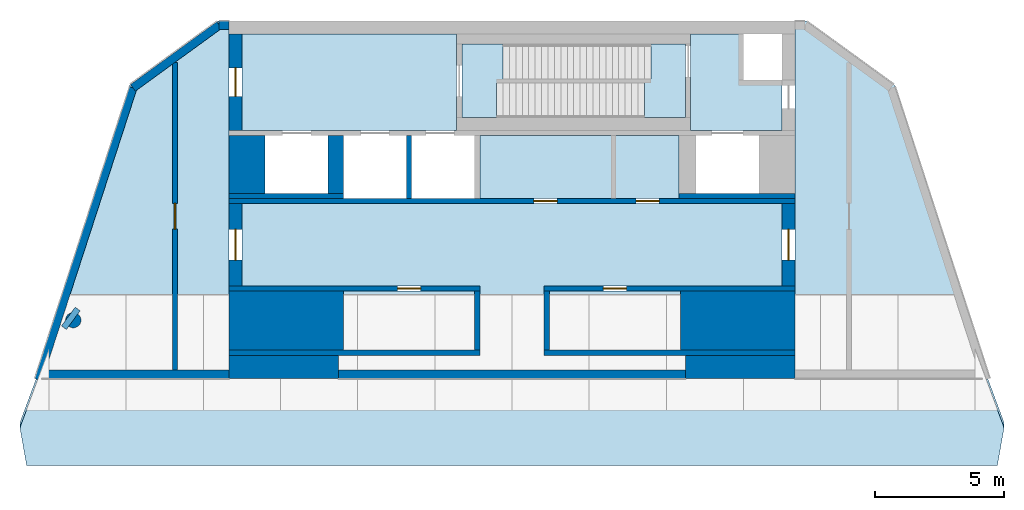
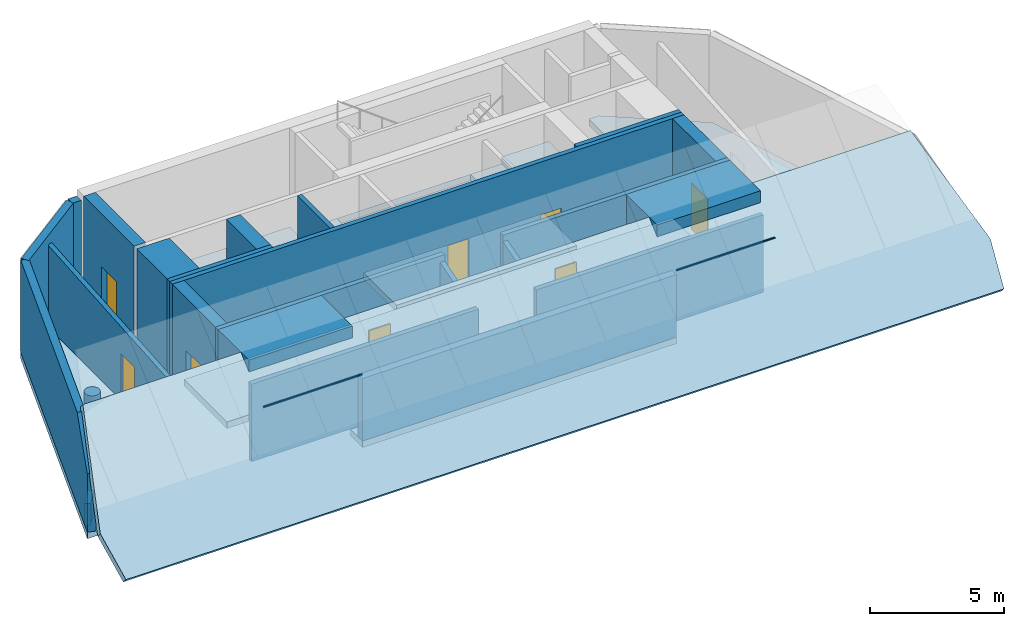
# One storey, part 1 of 3: 25 walls, 8 doors, 8 slabs, 1 beam, 1 column, 8 openings.
"""IFC4 building model written with IfcOpenShell, lengths in metres."""

from ifc_helpers import new_model, si_unit, direction, frame, frame_2d, origin, origin_2d, place, context, subcontext, project, spatial, polyline, rectangle, circle, outline, extrude, material, layer, layer_set, material_profile, profile_set, type_object, element, fill, save


model = new_model("IFC4")

# Units and contexts
model_context = context("Model", 3, precision=1e-05, world=origin(), true_north=direction((0.0, 1.0)))
body_context = subcontext(model_context, "Body", "Model", "MODEL_VIEW")
ifc_project = project(units=[si_unit("LENGTHUNIT", "METRE"), si_unit("AREAUNIT", "SQUARE_METRE"), si_unit("VOLUMEUNIT", "CUBIC_METRE"), si_unit("PLANEANGLEUNIT", "RADIAN"), si_unit("MASSUNIT", "GRAM", prefix="KILO")], contexts=[model_context])

# Site, building, storey
site_placement = place(None, origin())
site = spatial("IfcSite", under=ifc_project, at=site_placement, CompositionType="ELEMENT")
building_placement = place(site_placement, origin())
building = spatial("IfcBuilding", under=site, at=building_placement, Name="White Candle Pilgrim Tower", CompositionType="ELEMENT")
storey_placement = place(building_placement, frame((0.0, 0.0, 346.699951171875)))
storey = spatial("IfcBuildingStorey", under=building, at=storey_placement, Name="L81", CompositionType="ELEMENT", Elevation=346.699951171875)

# Column
ifc_material_1 = material(Name="Concrete C60/75", Category="concrete")
ifc_material_profile_1 = material_profile(ifc_material_1, circle(Radius=0.300048828125, at=origin_2d()), Name="RC-COL D600")
ifc_profile_set_1 = profile_set([ifc_material_profile_1], Name="Concrete C60/75")
column_type = type_object("IfcColumnType", Name="Perimeter column RC-COL D600 C60/75", PredefinedType="COLUMN", material=ifc_profile_set_1)
column_placement = place(storey_placement, frame((52.93994140625, 76.3701171875, 0.0), z_axis=(0.0, 0.0, 1.0), x_axis=(1.0, 0.0, 0.0)))
element("IfcColumn", 1, at=column_placement, inside=storey, type_object=column_type, Name="L81 crown column T07", PredefinedType="COLUMN", context=body_context, shape_type="SweptSolid", body=[
    extrude(circle(Radius=0.300048828125, at=origin_2d()), origin(), (0.0, 0.0, 1.0), 4.5),
])

# Beam
ifc_material_2 = material(Name="Concrete C50/60", Category="concrete")
ifc_material_profile_2 = material_profile(ifc_material_2, rectangle(XDim=0.89990234375, YDim=1.0, at=origin_2d()), Name="RC-BM 900x1000")
ifc_profile_set_2 = profile_set([ifc_material_profile_2], Name="Concrete C50/60")
beam_type = type_object("IfcBeamType", Name="Transfer girder RC-BM 900x1000 C50/60", PredefinedType="BEAM", material=ifc_profile_set_2)
beam_placement = place(storey_placement, frame((52.75, 76.510009765625, -0.800048828125), z_axis=(0.805185882689, -0.59302250743, 0.0), x_axis=(0.59302250743, 0.805185882689, 0.0)))
element("IfcBeam", 2, at=beam_placement, inside=storey, type_object=beam_type, Name="L81 transfer girder T01", PredefinedType="BEAM", context=body_context, shape_type="SweptSolid", body=[
    extrude(rectangle(XDim=0.89990234375, YDim=1.0, at=origin_2d()), origin(), (0.0, 0.0, 1.0), 0.23583984375),
])

# Slabs
ifc_material_3 = material(Name="Concrete C40/50", Category="concrete")
ifc_layer_1 = layer(ifc_material_3, 0.300048828125)
ifc_layer_set_1 = layer_set([ifc_layer_1], Name="Core floor slab 300 mm Concrete C40/50")
slab_type_1 = type_object("IfcSlabType", Name="Core floor slab 300 mm Concrete C40/50", PredefinedType="FLOOR", material=ifc_layer_set_1)
slab_1_placement = place(storey_placement, frame((0.0, 0.0, -0.300048828125)))
element("IfcSlab", 3, at=slab_1_placement, inside=storey, type_object=slab_type_1, Name="CF-L81-01", PredefinedType="FLOOR", context=body_context, shape_type="SweptSolid", body=[
    extrude(outline(polyline([(80.5, 85.5), (80.5, 83.75), (76.949951171875, 83.75), (76.949951171875, 84.25), (76.949951171875, 87.10009765625), (76.949951171875, 87.5), (79.0, 87.5), (79.0, 85.699951171875), (80.5, 85.699951171875), (80.5, 85.5)])), origin(), (0.0, 0.0, 1.0), 0.300048828125),
])
slab_2_placement = place(storey_placement, frame((0.0, 0.0, -0.300048828125)))
element("IfcSlab", 4, at=slab_2_placement, inside=storey, type_object=slab_type_1, Name="CF-L81-02", PredefinedType="FLOOR", context=body_context, shape_type="SweptSolid", body=[
    extrude(outline(polyline([(80.5, 77.699951171875), (71.25, 77.699951171875), (71.25, 77.5), (76.550048828125, 77.5), (76.550048828125, 75.199951171875), (71.25, 75.199951171875), (71.25, 75.0), (76.75, 75.0), (76.75, 74.108642578125), (63.25, 74.108642578125), (63.25, 75.0), (68.75, 75.0), (68.75, 75.199951171875), (63.449951171875, 75.199951171875), (63.449951171875, 77.5), (68.75, 77.5), (68.75, 77.699951171875), (59.5, 77.699951171875), (59.5, 80.89990234375), (80.5, 80.89990234375), (80.5, 77.699951171875)])), origin(), (0.0, 0.0, 1.0), 0.300048828125),
])
slab_3_placement = place(storey_placement, frame((0.0, 0.0, -0.300048828125)))
element("IfcSlab", 5, at=slab_3_placement, inside=storey, type_object=slab_type_1, Name="CF-L81-03", PredefinedType="FLOOR", context=body_context, shape_type="SweptSolid", body=[
    extrude(outline(polyline([(59.5, 87.5), (67.85009765625, 87.5), (67.85009765625, 87.10009765625), (67.85009765625, 84.25), (67.85009765625, 83.75), (59.5, 83.75), (59.5, 87.5)])), origin(), (0.0, 0.0, 1.0), 0.300048828125),
])
slab_4_placement = place(storey_placement, frame((0.0, 0.0, -0.300048828125)))
element("IfcSlab", 6, at=slab_4_placement, inside=storey, type_object=slab_type_1, Name="CF-L81-04", PredefinedType="FLOOR", context=body_context, shape_type="SweptSolid", body=[
    extrude(outline(polyline([(76.5, 83.550048828125), (76.5, 81.300048828125), (76.5, 81.10009765625), (68.75, 81.10009765625), (68.75, 83.550048828125), (76.5, 83.550048828125)])), origin(), (0.0, 0.0, 1.0), 0.300048828125),
])
slab_5_placement = place(storey_placement, frame((0.0, 0.0, -0.300048828125)))
element("IfcSlab", 7, at=slab_5_placement, inside=storey, type_object=slab_type_1, Name="CF-L81-05", PredefinedType="FLOOR", context=body_context, shape_type="SweptSolid", body=[
    extrude(outline(polyline([(68.050048828125, 87.10009765625), (76.75, 87.10009765625), (76.75, 84.25), (68.050048828125, 84.25), (68.050048828125, 87.10009765625)]), holes=[polyline([(69.402099609375, 84.251953125), (75.14794921875, 84.251953125), (75.14794921875, 85.597900390625), (69.402099609375, 85.597900390625), (69.402099609375, 84.251953125)]), polyline([(69.652099609375, 85.751953125), (75.39794921875, 85.751953125), (75.39794921875, 87.097900390625), (69.652099609375, 87.097900390625), (69.652099609375, 85.751953125)])]), origin(), (0.0, 0.0, 1.0), 0.300048828125),
])
ifc_layer_2 = layer(ifc_material_3, 0.300048828125)
ifc_layer_set_2 = layer_set([ifc_layer_2], Name="Floor slab 300 REI 120")
slab_type_2 = type_object("IfcSlabType", Name="Floor slab 300 REI 120", PredefinedType="FLOOR", material=ifc_layer_set_2)
slab_6_placement = place(storey_placement, frame((0.0, 0.0, -0.300048828125)))
element("IfcSlab", 8, at=slab_6_placement, inside=storey, type_object=slab_type_2, Name="L81 floor slab", PredefinedType="FLOOR", context=body_context, shape_type="SweptSolid", body=[
    extrude(outline(polyline([(51.42236328125, 74.108642578125), (59.0, 74.108642578125), (59.0, 88.0), (58.56298828125, 88.0), (55.1240234375, 85.50146484375), (51.42236328125, 74.108642578125)])), origin(), (0.0, 0.0, 1.0), 0.300048828125),
])
slab_7_placement = place(storey_placement, frame((0.0, 0.0, -0.300048828125)))
element("IfcSlab", 9, at=slab_7_placement, inside=storey, type_object=slab_type_2, Name="L81 floor slab 2", PredefinedType="FLOOR", context=body_context, shape_type="SweptSolid", body=[
    extrude(outline(polyline([(81.0, 74.108642578125), (88.57763671875, 74.108642578125), (84.8759765625, 85.50146484375), (81.43701171875, 88.0), (81.0, 88.0), (81.0, 74.108642578125)])), origin(), (0.0, 0.0, 1.0), 0.300048828125),
])
ifc_layer_3 = layer(ifc_material_3, 0.300048828125)
ifc_layer_set_3 = layer_set([ifc_layer_3], Name="Roof slab 300 REI 120")
slab_type_3 = type_object("IfcSlabType", Name="Roof slab 300 REI 120", PredefinedType="ROOF", material=ifc_layer_set_3)
slab_8_placement = place(storey_placement, frame((51.118408203125, 70.7626953125, 0.03759765625), z_axis=(0.0, -0.662933689174, 0.74867811759), x_axis=(-0.1306942027, 0.742256501654, 0.657247526532)))
element("IfcSlab", 10, at=slab_8_placement, inside=storey, type_object=slab_type_3, Name="Roof slab L81-01", PredefinedType="ROOF", context=body_context, shape_type="SweptSolid", body=[
    extrude(outline(polyline([(0.0, 0.0), (0.21108733252865713, -3.469446951953614e-18), (0.42217466505731427, -6.938893903907228e-18), (0.6334224584078787, -2.1152731921346424e-05), (0.8445097909365358, -2.11527319213603e-05), (1.0555971234651929, -2.1152731921346424e-05), (1.266663701849533, -1.841681890671354e-05), (1.47775103437819, -1.841681890671354e-05), (1.6888383669068472, -1.8416818906741295e-05), (1.9000861602574117, -3.956955082808078e-05), (2.1011544547860823, -0.07604219078081748), (2.3010102542701687, -0.16124258145902223), (2.5010584223404932, -0.24622207830472154), (2.7007330068583553, -0.3313985803379903), (2.900620714106773, -0.4163569244517683), (3.100668882177097, -0.5013364212974676), (3.3005246816611837, -0.5865368119756723), (3.50038048114527, -0.671737202653877), (3.700428649215594, -0.7567166994995763), (3.900135141497788, -0.8416511549684184), (4.099990940981874, -0.9268515456466231), (4.300039109052198, -1.0118310424923225), (4.499894908536285, -1.097031433170527), (4.699782615784702, -1.181989777284305), (4.89967032303312, -1.266948121398083), (5.099686583339112, -1.3521696648082093), (5.299393075621307, -1.4371041202770514), (5.499248875105392, -1.522304510955256), (5.699297043175717, -1.6072840078009552), (5.899152842659804, -1.6924843984791602), (6.099040549908221, -1.777442742592938), (6.299088717978545, -1.8624222394386372), (6.498763302496407, -1.947598741471906), (6.531127651790273, -1.961469027894653), (1.8808900781659479, -37.23733532744453), (1.846036923254251, -37.24234467304706), (1.6311104273860915, -37.27286642880976), (1.4158741634941303, -37.303101096631174), (1.200798360424078, -37.33335691718452), (0.985690649589694, -37.36385478430228), (0.7704543856977337, -37.39408945212371), (0.5553466748633498, -37.42458731924147), (0.34045208675952, -37.45486702843974), (0.12518391510322902, -37.4853437428256), (-0.08989188796682424, -37.515599563378935), (-0.30496769103687704, -37.54585538393228), (-0.5200754018712621, -37.57635325105004), (-0.7353116657632222, -37.60658791887146), (-0.9504193765976057, -37.63708578598923), (-1.1653139647014348, -37.6673654951875), (-1.3805502285933944, -37.697600163008914), (-1.59565793942778, -37.72809803012668), (-1.8107656502621636, -37.75859589724445), (-2.026001914154124, -37.788830565065865), (-2.2410777172241767, -37.81908638561921), (-2.4560042130923363, -37.849608141381914), (-2.6712404769842975, -37.87984280920333), (-2.8863481878186814, -37.9103406763211), (-3.1002434036084807, -37.93164077399065), (-3.3042800422202014, -37.87691709769829), (-3.5081562200100143, -37.82221457413785), (-3.7120323977998284, -37.767512050577416), (-3.9158878214453243, -37.71281226292999), (-4.119763999235137, -37.65810973936955), (-4.323640177024951, -37.60340721580911), (-4.527676815636672, -37.54868353951675), (-4.731552993426485, -37.493981015956315), (-4.935429171216298, -37.43927849239587), (-4.990533094016862, -37.424626839173264), (-0.057018388660432906, 0.0001288593570090541), (0.0, 0.0)])), origin(), (0.0, 0.0, -1.0), 0.300048828125),
])

# Walls
ifc_layer_4 = layer(ifc_material_3, 1.39990234375)
ifc_layer_set_4 = layer_set([ifc_layer_4], Name="Core wall 1400 mm Concrete C40/50")
wall_type_1 = type_object("IfcWallType", Name="Core wall 1400 mm Concrete C40/50", PredefinedType="SHEAR", material=ifc_layer_set_4)
wall_1_placement = place(storey_placement, frame((59.699951171875, 81.300048828125, 0.0), z_axis=(0.0, 0.0, 1.0), x_axis=(0.0, 1.0, 0.0)))
element("IfcWall", 11, at=wall_1_placement, inside=storey, type_object=wall_type_1, Name="WL-L81-C19", PredefinedType="SHEAR", context=body_context, shape_type="SweptSolid", body=[
    extrude(rectangle(XDim=2.25, YDim=1.39990234375, at=frame_2d((1.125, 0.0))), origin(), (0.0, 0.0, 1.0), 4.5),
])
ifc_layer_5 = layer(ifc_material_3, 0.199951171875)
ifc_layer_set_5 = layer_set([ifc_layer_5], Name="Core wall 200 mm Concrete C40/50")
wall_type_2 = type_object("IfcWallType", Name="Core wall 200 mm Concrete C40/50", PredefinedType="SHEAR", material=ifc_layer_set_5)
for number, where, z_axis, x_axis, name in (
    (12, (59.0, 75.10009765625, 0.0), (0.0, 0.0, 1.0), (1.0, 0.0, 0.0), "WL-L81-C03"),
    (13, (71.25, 75.10009765625, 0.0), (0.0, 0.0, 1.0), (1.0, 0.0, 0.0), "WL-L81-C04"),
):
    element("IfcWall", number, at=place(storey_placement, frame(where, z_axis=z_axis, x_axis=x_axis)), inside=storey, type_object=wall_type_2, Name=name, PredefinedType="SHEAR", context=body_context, shape_type="SweptSolid", body=[
        extrude(rectangle(XDim=9.75, YDim=0.199951171875, at=frame_2d((4.875, 0.0))), origin(), (0.0, 0.0, 1.0), 3.52783203125),
    ])

# Wall, opening, door
wall_2_placement = place(storey_placement, frame((59.0, 77.60009765625, 0.0), z_axis=(0.0, 0.0, 1.0), x_axis=(1.0, 0.0, 0.0)))
wall_2 = element("IfcWall", 14, at=wall_2_placement, inside=storey, type_object=wall_type_2, Name="WL-L81-C09", PredefinedType="SHEAR", context=body_context, shape_type="SweptSolid", body=[
    extrude(rectangle(XDim=9.75, YDim=0.199951171875, at=frame_2d((4.875, 0.0))), origin(), (0.0, 0.0, 1.0), 4.5),
])
opening_1_placement = place(wall_2_placement, frame((6.550048828125, 0.0, 0.0)))
opening_1 = element("IfcOpeningElement", 15, at=opening_1_placement, cuts=wall_2, Name="Opening L81-011", PredefinedType="OPENING", context=body_context, shape_type="SweptSolid", body=[
    extrude(rectangle(XDim=0.89990234375, YDim=2.10009765625, at=frame_2d((0.449951171875, 1.050048828125))), frame((0.0, 0.10986328125, 0.0), z_axis=(0.0, -1.0, 0.0), x_axis=(1.0, 0.0, 0.0)), (0.0, 0.0, 1.0), 0.219970703125),
])
ifc_material_4 = material(Name="Steel door leaf", Category="steel")
door_type_1 = type_object("IfcDoorType", Name="Fire door 900 x 2100 EI 30", OperationType="NOTDEFINED", PredefinedType="DOOR", material=ifc_material_4)
door_1_placement = place(opening_1_placement, origin())
door_1 = element("IfcDoor", 16, at=door_1_placement, inside=storey, type_object=door_type_1, Name="Door L81-011", OperationType="SINGLE_SWING_RIGHT", OverallHeight=2.10009765625, OverallWidth=0.89990234375, PredefinedType="DOOR", context=body_context, shape_type="SweptSolid", body=[
    extrude(rectangle(XDim=0.89990234375, YDim=2.10009765625, at=frame_2d((0.449951171875, 1.050048828125))), frame((0.0, 0.02490234375, 0.0), z_axis=(0.0, -1.0, 0.0), x_axis=(1.0, 0.0, 0.0)), (0.0, 0.0, 1.0), 0.050048828125),
])
fill(opening_1, door_1)

wall_3_placement = place(storey_placement, frame((71.25, 77.60009765625, 0.0), z_axis=(0.0, 0.0, 1.0), x_axis=(1.0, 0.0, 0.0)))
wall_3 = element("IfcWall", 17, at=wall_3_placement, inside=storey, type_object=wall_type_2, Name="WL-L81-C10", PredefinedType="SHEAR", context=body_context, shape_type="SweptSolid", body=[
    extrude(rectangle(XDim=9.75, YDim=0.199951171875, at=frame_2d((4.875, 0.0))), origin(), (0.0, 0.0, 1.0), 4.5),
])
opening_2_placement = place(wall_3_placement, frame((2.300048828125, 0.0, 0.0)))
opening_2 = element("IfcOpeningElement", 18, at=opening_2_placement, cuts=wall_3, Name="Opening L81-012", PredefinedType="OPENING", context=body_context, shape_type="SweptSolid", body=[
    extrude(rectangle(XDim=0.89990234375, YDim=2.10009765625, at=frame_2d((0.449951171875, 1.050048828125))), frame((0.0, 0.10986328125, 0.0), z_axis=(0.0, -1.0, 0.0), x_axis=(1.0, 0.0, 0.0)), (0.0, 0.0, 1.0), 0.219970703125),
])
door_2_placement = place(opening_2_placement, origin())
door_2 = element("IfcDoor", 19, at=door_2_placement, inside=storey, type_object=door_type_1, Name="Door L81-012", OperationType="SINGLE_SWING_LEFT", OverallHeight=2.10009765625, OverallWidth=0.89990234375, PredefinedType="DOOR", context=body_context, shape_type="SweptSolid", body=[
    extrude(rectangle(XDim=0.89990234375, YDim=2.10009765625, at=frame_2d((0.449951171875, 1.050048828125))), frame((0.0, 0.02490234375, 0.0), z_axis=(0.0, -1.0, 0.0), x_axis=(1.0, 0.0, 0.0)), (0.0, 0.0, 1.0), 0.050048828125),
])
fill(opening_2, door_2)

# Wall, openings, doors
wall_4_placement = place(storey_placement, frame((59.0, 81.0, 0.0), z_axis=(0.0, 0.0, 1.0), x_axis=(1.0, 0.0, 0.0)))
wall_4 = element("IfcWall", 20, at=wall_4_placement, inside=storey, type_object=wall_type_2, Name="WL-L81-C13", PredefinedType="SHEAR", context=body_context, shape_type="SweptSolid", body=[
    extrude(rectangle(XDim=22.0, YDim=0.199951171875, at=frame_2d((11.0, 0.0))), origin(), (0.0, 0.0, 1.0), 4.5),
])
opening_3_placement = place(wall_4_placement, frame((11.85009765625, 0.0, 0.0)))
opening_3 = element("IfcOpeningElement", 21, at=opening_3_placement, cuts=wall_4, Name="Opening L81-013", PredefinedType="OPENING", context=body_context, shape_type="SweptSolid", body=[
    extrude(rectangle(XDim=0.89990234375, YDim=2.10009765625, at=frame_2d((0.449951171875, 1.050048828125))), frame((0.0, 0.10986328125, 0.0), z_axis=(0.0, -1.0, 0.0), x_axis=(1.0, 0.0, 0.0)), (0.0, 0.0, 1.0), 0.219970703125),
])
opening_4_placement = place(wall_4_placement, frame((15.824951171875, 0.0, 0.0)))
opening_4 = element("IfcOpeningElement", 22, at=opening_4_placement, cuts=wall_4, Name="Opening L81-014", PredefinedType="OPENING", context=body_context, shape_type="SweptSolid", body=[
    extrude(rectangle(XDim=0.89990234375, YDim=2.10009765625, at=frame_2d((0.449951171875, 1.050048828125))), frame((0.0, 0.10986328125, 0.0), z_axis=(0.0, -1.0, 0.0), x_axis=(1.0, 0.0, 0.0)), (0.0, 0.0, 1.0), 0.219970703125),
])
door_3_placement = place(opening_3_placement, origin())
door_3 = element("IfcDoor", 23, at=door_3_placement, inside=storey, type_object=door_type_1, Name="Door L81-013", OperationType="SINGLE_SWING_RIGHT", OverallHeight=2.10009765625, OverallWidth=0.89990234375, PredefinedType="DOOR", context=body_context, shape_type="SweptSolid", body=[
    extrude(rectangle(XDim=0.89990234375, YDim=2.10009765625, at=frame_2d((0.449951171875, 1.050048828125))), frame((0.0, 0.02490234375, 0.0), z_axis=(0.0, -1.0, 0.0), x_axis=(1.0, 0.0, 0.0)), (0.0, 0.0, 1.0), 0.050048828125),
])
fill(opening_3, door_3)
door_4_placement = place(opening_4_placement, origin())
door_4 = element("IfcDoor", 24, at=door_4_placement, inside=storey, type_object=door_type_1, Name="Door L81-014", OperationType="SINGLE_SWING_LEFT", OverallHeight=2.10009765625, OverallWidth=0.89990234375, PredefinedType="DOOR", context=body_context, shape_type="SweptSolid", body=[
    extrude(rectangle(XDim=0.89990234375, YDim=2.10009765625, at=frame_2d((0.449951171875, 1.050048828125))), frame((0.0, 0.02490234375, 0.0), z_axis=(0.0, -1.0, 0.0), x_axis=(1.0, 0.0, 0.0)), (0.0, 0.0, 1.0), 0.050048828125),
])
fill(opening_4, door_4)

# Walls
wall_5_placement = place(storey_placement, frame((59.0, 81.199951171875, 0.0), z_axis=(0.0, 0.0, 1.0), x_axis=(1.0, 0.0, 0.0)))
element("IfcWall", 25, at=wall_5_placement, inside=storey, type_object=wall_type_2, Name="WL-L81-C14", PredefinedType="SHEAR", context=body_context, shape_type="SweptSolid", body=[
    extrude(rectangle(XDim=4.449951171875, YDim=0.199951171875, at=frame_2d((2.22509765625, 0.0))), origin(), (0.0, 0.0, 1.0), 4.5),
])
wall_6_placement = place(storey_placement, frame((76.5, 81.199951171875, 0.0), z_axis=(0.0, 0.0, 1.0), x_axis=(1.0, 0.0, 0.0)))
element("IfcWall", 26, at=wall_6_placement, inside=storey, type_object=wall_type_2, Name="WL-L81-C18", PredefinedType="SHEAR", context=body_context, shape_type="SweptSolid", body=[
    extrude(rectangle(XDim=4.5, YDim=0.199951171875, at=frame_2d((2.25, 0.0))), origin(), (0.0, 0.0, 1.0), 4.5),
])
ifc_layer_6 = layer(ifc_material_3, 2.300048828125)
ifc_layer_set_6 = layer_set([ifc_layer_6], Name="Core wall 2300 mm Concrete C40/50")
wall_type_3 = type_object("IfcWallType", Name="Core wall 2300 mm Concrete C40/50", PredefinedType="SHEAR", material=ifc_layer_set_6)
for number, where, z_axis, x_axis, name in (
    (27, (59.0, 76.35009765625, 0.0), (0.0, 0.0, 1.0), (1.0, 0.0, 0.0), "WL-L81-C05"),
    (28, (76.550048828125, 76.35009765625, 0.0), (0.0, 0.0, 1.0), (1.0, 0.0, 0.0), "WL-L81-C08"),
):
    element("IfcWall", number, at=place(storey_placement, frame(where, z_axis=z_axis, x_axis=x_axis)), inside=storey, type_object=wall_type_3, Name=name, PredefinedType="SHEAR", context=body_context, shape_type="SweptSolid", body=[
        extrude(rectangle(XDim=4.449951171875, YDim=2.300048828125, at=frame_2d((2.22509765625, 0.0))), origin(), (0.0, 0.0, 1.0), 4.5),
    ])

# Wall, opening, door
ifc_layer_7 = layer(ifc_material_3, 0.5)
ifc_layer_set_7 = layer_set([ifc_layer_7], Name="Core wall 500 mm Concrete C40/50")
wall_type_4 = type_object("IfcWallType", Name="Core wall 500 mm Concrete C40/50", PredefinedType="SHEAR", material=ifc_layer_set_7)
wall_7_placement = place(storey_placement, frame((59.25, 77.699951171875, 0.0), z_axis=(0.0, 0.0, 1.0), x_axis=(0.0, 1.0, 0.0)))
wall_7 = element("IfcWall", 29, at=wall_7_placement, inside=storey, type_object=wall_type_4, Name="WL-L81-C11", PredefinedType="SHEAR", context=body_context, shape_type="SweptSolid", body=[
    extrude(rectangle(XDim=3.199951171875, YDim=0.5, at=frame_2d((1.60009765625, 0.0))), origin(), (0.0, 0.0, 1.0), 4.5),
])
opening_5_placement = place(wall_7_placement, frame((1.0, 0.0, 0.0)))
opening_5 = element("IfcOpeningElement", 30, at=opening_5_placement, cuts=wall_7, Name="Opening L81-003", PredefinedType="OPENING", context=body_context, shape_type="SweptSolid", body=[
    extrude(rectangle(XDim=1.199951171875, YDim=2.10009765625, at=frame_2d((0.60009765625, 1.050048828125))), frame((0.0, 0.260009765625, 0.0), z_axis=(0.0, -1.0, 0.0), x_axis=(1.0, 0.0, 0.0)), (0.0, 0.0, 1.0), 0.52001953125),
])
door_type_2 = type_object("IfcDoorType", Name="Fire door 1200 x 2100 EI 60", OperationType="NOTDEFINED", PredefinedType="DOOR", material=ifc_material_4)
door_5_placement = place(opening_5_placement, origin())
door_5 = element("IfcDoor", 31, at=door_5_placement, inside=storey, type_object=door_type_2, Name="Door L81-003", OperationType="SINGLE_SWING_RIGHT", OverallHeight=2.10009765625, OverallWidth=1.199951171875, PredefinedType="DOOR", context=body_context, shape_type="SweptSolid", body=[
    extrude(rectangle(XDim=1.199951171875, YDim=2.10009765625, at=frame_2d((0.60009765625, 1.050048828125))), frame((0.0, 0.02490234375, 0.0), z_axis=(0.0, -1.0, 0.0), x_axis=(1.0, 0.0, 0.0)), (0.0, 0.0, 1.0), 0.050048828125),
])
fill(opening_5, door_5)

wall_8_placement = place(storey_placement, frame((80.75, 77.699951171875, 0.0), z_axis=(0.0, 0.0, 1.0), x_axis=(0.0, 1.0, 0.0)))
wall_8 = element("IfcWall", 32, at=wall_8_placement, inside=storey, type_object=wall_type_4, Name="WL-L81-C12", PredefinedType="SHEAR", context=body_context, shape_type="SweptSolid", body=[
    extrude(rectangle(XDim=3.199951171875, YDim=0.5, at=frame_2d((1.60009765625, 0.0))), origin(), (0.0, 0.0, 1.0), 4.5),
])
opening_6_placement = place(wall_8_placement, frame((1.0, 0.0, 0.0)))
opening_6 = element("IfcOpeningElement", 33, at=opening_6_placement, cuts=wall_8, Name="Opening L81-004", PredefinedType="OPENING", context=body_context, shape_type="SweptSolid", body=[
    extrude(rectangle(XDim=1.199951171875, YDim=2.10009765625, at=frame_2d((0.60009765625, 1.050048828125))), frame((0.0, 0.260009765625, 0.0), z_axis=(0.0, -1.0, 0.0), x_axis=(1.0, 0.0, 0.0)), (0.0, 0.0, 1.0), 0.52001953125),
])
door_6_placement = place(opening_6_placement, origin())
door_6 = element("IfcDoor", 34, at=door_6_placement, inside=storey, type_object=door_type_2, Name="Door L81-004", OperationType="SINGLE_SWING_LEFT", OverallHeight=2.10009765625, OverallWidth=1.199951171875, PredefinedType="DOOR", context=body_context, shape_type="SweptSolid", body=[
    extrude(rectangle(XDim=1.199951171875, YDim=2.10009765625, at=frame_2d((0.60009765625, 1.050048828125))), frame((0.0, 0.02490234375, 0.0), z_axis=(0.0, -1.0, 0.0), x_axis=(1.0, 0.0, 0.0)), (0.0, 0.0, 1.0), 0.050048828125),
])
fill(opening_6, door_6)

wall_9_placement = place(storey_placement, frame((59.25, 83.75, 0.0), z_axis=(0.0, 0.0, 1.0), x_axis=(0.0, 1.0, 0.0)))
wall_9 = element("IfcWall", 35, at=wall_9_placement, inside=storey, type_object=wall_type_4, Name="WL-L81-C24", PredefinedType="SHEAR", context=body_context, shape_type="SweptSolid", body=[
    extrude(rectangle(XDim=3.75, YDim=0.5, at=frame_2d((1.875, 0.0))), origin(), (0.0, 0.0, 1.0), 4.5),
])
opening_7_placement = place(wall_9_placement, frame((1.324951171875, 0.0, 0.0)))
opening_7 = element("IfcOpeningElement", 36, at=opening_7_placement, cuts=wall_9, Name="Opening L81-005", PredefinedType="OPENING", context=body_context, shape_type="SweptSolid", body=[
    extrude(rectangle(XDim=1.10009765625, YDim=2.10009765625, at=frame_2d((0.550048828125, 1.050048828125))), frame((0.0, 0.260009765625, 0.0), z_axis=(0.0, -1.0, 0.0), x_axis=(1.0, 0.0, 0.0)), (0.0, 0.0, 1.0), 0.52001953125),
])
door_type_3 = type_object("IfcDoorType", Name="Fire door 1100 x 2100 EI 60", OperationType="NOTDEFINED", PredefinedType="DOOR", material=ifc_material_4)
door_7_placement = place(opening_7_placement, origin())
door_7 = element("IfcDoor", 37, at=door_7_placement, inside=storey, type_object=door_type_3, Name="Door L81-005", OperationType="SINGLE_SWING_RIGHT", OverallHeight=2.10009765625, OverallWidth=1.10009765625, PredefinedType="DOOR", context=body_context, shape_type="SweptSolid", body=[
    extrude(rectangle(XDim=1.10009765625, YDim=2.10009765625, at=frame_2d((0.550048828125, 1.050048828125))), frame((0.0, 0.02490234375, 0.0), z_axis=(0.0, -1.0, 0.0), x_axis=(1.0, 0.0, 0.0)), (0.0, 0.0, 1.0), 0.050048828125),
])
fill(opening_7, door_7)

# Walls
ifc_layer_8 = layer(ifc_material_3, 0.891357421875)
ifc_layer_set_8 = layer_set([ifc_layer_8], Name="Core wall 891 mm Concrete C40/50")
wall_type_5 = type_object("IfcWallType", Name="Core wall 891 mm Concrete C40/50", PredefinedType="SHEAR", material=ifc_layer_set_8)
for number, where, z_axis, x_axis, name in (
    (38, (59.0, 74.55419921875, 0.0), (0.0, 0.0, 1.0), (1.0, 0.0, 0.0), "WL-L81-C01"),
    (39, (76.75, 74.55419921875, 0.0), (0.0, 0.0, 1.0), (1.0, 0.0, 0.0), "WL-L81-C02"),
):
    element("IfcWall", number, at=place(storey_placement, frame(where, z_axis=z_axis, x_axis=x_axis)), inside=storey, type_object=wall_type_5, Name=name, PredefinedType="SHEAR", context=body_context, shape_type="SweptSolid", body=[
        extrude(rectangle(XDim=4.25, YDim=0.891357421875, at=frame_2d((2.125, 0.0))), origin(), (0.0, 0.0, 1.0), 3.044677734375),
    ])

# Wall, opening, door
ifc_material_5 = material(Name="Gypsum board on steel studs", Category="steel")
ifc_layer_9 = layer(ifc_material_5, 0.199951171875)
ifc_layer_set_9 = layer_set([ifc_layer_9], Name="Corridor wall 200 mm EI 45")
wall_type_6 = type_object("IfcWallType", Name="Corridor wall 200 mm EI 45", PredefinedType="PARTITIONING", material=ifc_layer_set_9)
wall_10_placement = place(storey_placement, frame((56.89990234375, 74.4287109375, 0.0), z_axis=(0.0, 0.0, 1.0), x_axis=(0.0, 1.0, 0.0)))
wall_10 = element("IfcWall", 40, at=wall_10_placement, inside=storey, type_object=wall_type_6, Name="WL-L81-P001", PredefinedType="PARTITIONING", context=body_context, shape_type="SweptSolid", body=[
    extrude(outline(polyline([(0.0, 0.0), (11.967529296875, 0.0), (11.967529296875, 3.75), (0.0, 2.83349609375), (0.0, 0.0)])), frame((0.0, 0.10009765625, 0.0), z_axis=(0.0, -1.0, 0.0), x_axis=(1.0, 0.0, 0.0)), (0.0, 0.0, 1.0), 0.199951171875),
])
opening_8_placement = place(wall_10_placement, frame((5.48388671875, 0.0, 0.0)))
opening_8 = element("IfcOpeningElement", 41, at=opening_8_placement, cuts=wall_10, Name="Opening L81-101", PredefinedType="OPENING", context=body_context, shape_type="SweptSolid", body=[
    extrude(rectangle(XDim=1.0, YDim=2.10009765625, at=frame_2d((0.5, 1.050048828125))), frame((0.0, 0.10986328125, 0.0), z_axis=(0.0, -1.0, 0.0), x_axis=(1.0, 0.0, 0.0)), (0.0, 0.0, 1.0), 0.219970703125),
])
door_type_4 = type_object("IfcDoorType", Name="Fire door 1000 x 2100 EI 30", OperationType="NOTDEFINED", PredefinedType="DOOR", material=ifc_material_4)
door_8_placement = place(opening_8_placement, origin())
door_8 = element("IfcDoor", 42, at=door_8_placement, inside=storey, type_object=door_type_4, Name="Door L81-101", OperationType="SINGLE_SWING_LEFT", OverallHeight=2.10009765625, OverallWidth=1.0, PredefinedType="DOOR", context=body_context, shape_type="SweptSolid", body=[
    extrude(rectangle(XDim=1.0, YDim=2.10009765625, at=frame_2d((0.5, 1.050048828125))), frame((0.0, 0.02490234375, 0.0), z_axis=(0.0, -1.0, 0.0), x_axis=(1.0, 0.0, 0.0)), (0.0, 0.0, 1.0), 0.050048828125),
])
fill(opening_8, door_8)

# Walls
ifc_material_6 = material(Name="Precast concrete C40/50", Category="concrete")
ifc_layer_10 = layer(ifc_material_6, 0.320068359375)
ifc_layer_set_10 = layer_set([ifc_layer_10], Name="Facade wall EW4 precast concrete C40/50 crown wall with zinc cladding")
wall_type_7 = type_object("IfcWallType", Name="Facade wall EW4 precast concrete C40/50 crown wall with zinc cladding", PredefinedType="SOLIDWALL", material=ifc_layer_set_10)
wall_11_placement = place(storey_placement, frame((59.0, 87.840087890625, 0.0), z_axis=(0.0, 0.0, 1.0), x_axis=(-1.0, 0.0, 0.0)))
element("IfcWall", 43, at=wall_11_placement, inside=storey, type_object=wall_type_7, Name="Crown wall L81 N", PredefinedType="SOLIDWALL", context=body_context, shape_type="SweptSolid", body=[
    extrude(rectangle(XDim=0.385009765625, YDim=0.320068359375, at=frame_2d((0.1923828125, 0.0))), origin(), (0.0, 0.0, 1.0), 4.199951171875),
])
wall_12_placement = place(storey_placement, frame((58.614990234375, 87.840087890625, 0.0), z_axis=(0.0, 0.0, 1.0), x_axis=(-0.80900078054, -0.587807568074, 0.0)))
element("IfcWall", 44, at=wall_12_placement, inside=storey, type_object=wall_type_7, Name="Crown wall L81 NW chamfer", PredefinedType="SOLIDWALL", context=body_context, shape_type="SweptSolid", body=[
    extrude(rectangle(XDim=4.146728515625, YDim=0.320068359375, at=frame_2d((2.0732421875, 0.0))), origin(), (0.0, 0.0, 1.0), 4.199951171875),
])
wall_13_placement = place(storey_placement, frame((55.26025390625, 85.402587890625, 0.0), z_axis=(0.0, 0.0, 1.0), x_axis=(-0.309021736923, -0.951054975335, 0.0)))
element("IfcWall", 45, at=wall_13_placement, inside=storey, type_object=wall_type_7, Name="Crown wall L81 WNW", PredefinedType="SOLIDWALL", context=body_context, shape_type="SweptSolid", body=[
    extrude(outline(polyline([(0.0, 0.0), (11.92724609375, 0.0), (11.92724609375, 2.65625), (10.093994140625, 4.199951171875), (0.0, 4.199951171875), (0.0, 0.0)])), frame((0.0, 0.16015625, 0.0), z_axis=(0.0, -1.0, 0.0), x_axis=(1.0, 0.0, 0.0)), (0.0, 0.0, 1.0), 0.320068359375),
])
wall_14_placement = place(storey_placement, frame((51.71630859375, 74.2685546875, 0.0), z_axis=(0.0, 0.0, 1.0), x_axis=(1.0, 0.0, 0.0)))
element("IfcWall", 46, at=wall_14_placement, inside=storey, type_object=wall_type_7, Name="Crown wall L81 S", PredefinedType="SOLIDWALL", context=body_context, shape_type="SweptSolid", body=[
    extrude(rectangle(XDim=7.28369140625, YDim=0.320068359375, at=frame_2d((3.641845703125, 0.0))), origin(), (0.0, 0.0, 1.0), 2.841796875),
])
wall_15_placement = place(storey_placement, frame((63.25, 74.2685546875, 0.0), z_axis=(0.0, 0.0, 1.0), x_axis=(1.0, 0.0, 0.0)))
element("IfcWall", 47, at=wall_15_placement, inside=storey, type_object=wall_type_7, Name="Crown wall L81 S", PredefinedType="SOLIDWALL", context=body_context, shape_type="SweptSolid", body=[
    extrude(rectangle(XDim=13.5, YDim=0.320068359375, at=frame_2d((6.75, 0.0))), origin(), (0.0, 0.0, 1.0), 2.841796875),
])
ifc_layer_11 = layer(ifc_material_5, 0.199951171875)
ifc_layer_set_11 = layer_set([ifc_layer_11], Name="Lobby wall 200 mm EI 60")
wall_type_8 = type_object("IfcWallType", Name="Lobby wall 200 mm EI 60", PredefinedType="PARTITIONING", material=ifc_layer_set_11)
for number, where, z_axis, x_axis, name in (
    (48, (68.64990234375, 75.199951171875, 0.0), (0.0, 0.0, 1.0), (0.0, 1.0, 0.0), "WL-L81-C06"),
    (49, (71.35009765625, 75.199951171875, 0.0), (0.0, 0.0, 1.0), (0.0, 1.0, 0.0), "WL-L81-C07"),
):
    element("IfcWall", number, at=place(storey_placement, frame(where, z_axis=z_axis, x_axis=x_axis)), inside=storey, type_object=wall_type_8, Name=name, PredefinedType="PARTITIONING", context=body_context, shape_type="SweptSolid", body=[
        extrude(outline(polyline([(0.0, 0.0), (2.300048828125, 0.0), (2.300048828125, 4.199951171875), (0.0, 3.516357421875), (0.0, 0.0)])), frame((0.0, 0.10009765625, 0.0), z_axis=(0.0, -1.0, 0.0), x_axis=(1.0, 0.0, 0.0)), (0.0, 0.0, 1.0), 0.199951171875),
    ])
ifc_layer_12 = layer(ifc_material_3, 0.199951171875)
ifc_layer_set_12 = layer_set([ifc_layer_12], Name="Shaft wall 200 mm Concrete C40/50")
wall_type_9 = type_object("IfcWallType", Name="Shaft wall 200 mm Concrete C40/50", PredefinedType="SHEAR", material=ifc_layer_set_12)
wall_16_placement = place(storey_placement, frame((66.0, 81.10009765625, 0.0), z_axis=(0.0, 0.0, 1.0), x_axis=(0.0, 1.0, 0.0)))
element("IfcWall", 50, at=wall_16_placement, inside=storey, type_object=wall_type_9, Name="WL-L81-C15", PredefinedType="SHEAR", context=body_context, shape_type="SweptSolid", body=[
    extrude(rectangle(XDim=2.449951171875, YDim=0.199951171875, at=frame_2d((1.22509765625, 0.0))), origin(), (0.0, 0.0, 1.0), 4.5),
])
ifc_layer_13 = layer(ifc_material_3, 0.60009765625)
ifc_layer_set_13 = layer_set([ifc_layer_13], Name="Shaft wall 600 mm Concrete C40/50")
wall_type_10 = type_object("IfcWallType", Name="Shaft wall 600 mm Concrete C40/50", PredefinedType="SHEAR", material=ifc_layer_set_13)
wall_17_placement = place(storey_placement, frame((63.14990234375, 81.300048828125, 0.0), z_axis=(0.0, 0.0, 1.0), x_axis=(0.0, 1.0, 0.0)))
element("IfcWall", 51, at=wall_17_placement, inside=storey, type_object=wall_type_10, Name="WL-L81-C20", PredefinedType="SHEAR", context=body_context, shape_type="SweptSolid", body=[
    extrude(rectangle(XDim=2.25, YDim=0.60009765625, at=frame_2d((1.125, 0.0))), origin(), (0.0, 0.0, 1.0), 4.5),
])

save(model, "model.ifc")
